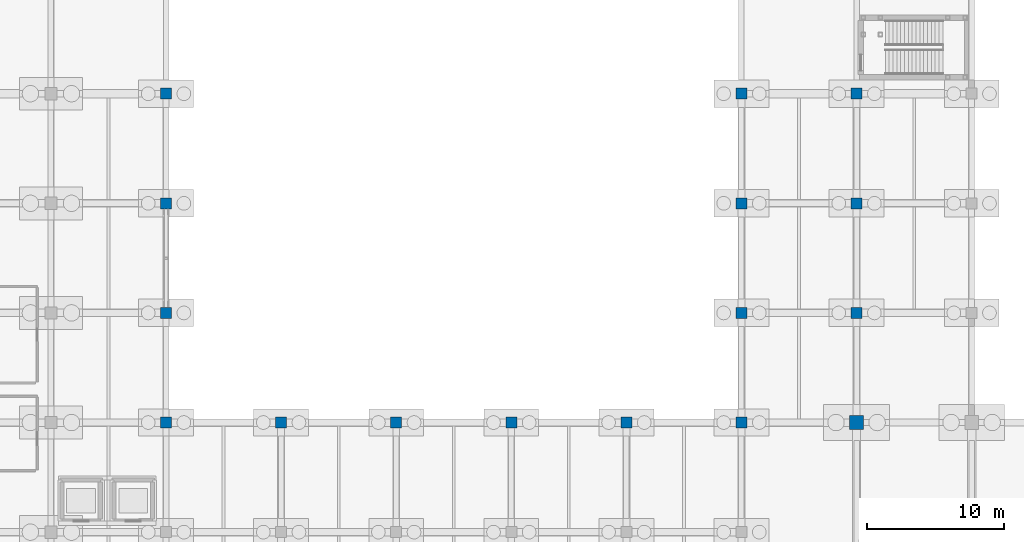
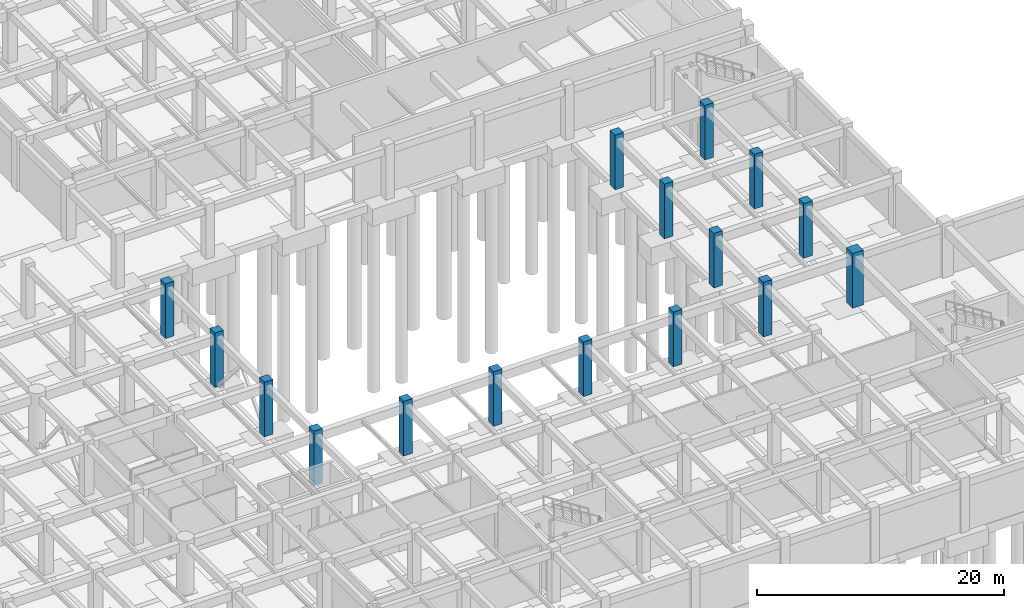
# One storey, part 17 of 56: 16 columns.
"""IFC4 building model written with IfcOpenShell, lengths in metres."""

from ifc_helpers import new_model, si_unit, direction, frame, origin, origin_2d, place, context, subcontext, project, spatial, rectangle, extrude, material, material_profile, profile_set, type_object, element, save


model = new_model("IFC4")

# Units and contexts
model_context = context("Model", 3, precision=1e-05, world=origin(), true_north=direction((0.0, 1.0)))
body_context = subcontext(model_context, "Body", "Model", "MODEL_VIEW")
ifc_project = project(units=[si_unit("LENGTHUNIT", "METRE"), si_unit("AREAUNIT", "SQUARE_METRE"), si_unit("VOLUMEUNIT", "CUBIC_METRE"), si_unit("PLANEANGLEUNIT", "RADIAN"), si_unit("MASSUNIT", "GRAM", prefix="KILO")], contexts=[model_context])

# Site, building, storey
site_placement = place(None, origin())
site = spatial("IfcSite", under=ifc_project, at=site_placement, CompositionType="ELEMENT")
building_placement = place(site_placement, origin())
building = spatial("IfcBuilding", under=site, at=building_placement, Name="Naruveol Harbour Congress Hotel", CompositionType="ELEMENT")
storey_placement = place(building_placement, frame((0.0, 0.0, -5.39990234375)))
storey = spatial("IfcBuildingStorey", under=building, at=storey_placement, Name="B01", CompositionType="ELEMENT", Elevation=-5.39990234375)

# Columns
ifc_material_1 = material(Name="Concrete C50/60", Category="concrete")
ifc_material_profile_1 = material_profile(ifc_material_1, rectangle(XDim=0.800048828125, YDim=0.800048828125, at=origin_2d()), Name="RC-800x800")
ifc_profile_set_1 = profile_set([ifc_material_profile_1], Name="Concrete C50/60")
column_type_1 = type_object("IfcColumnType", Name="RC PODIUM COLUMN 800X800", PredefinedType="COLUMN", material=ifc_profile_set_1)
for number, where, z_axis, x_axis, name in (
    (1, (67.199951171875, 32.0, 0.0), (0.0, 0.0, 1.0), (1.0, 0.0, 0.0), "Column C-800 B01 (67.2,32.0)"),
    (2, (67.199951171875, 40.0, 0.0), (0.0, 0.0, 1.0), (1.0, 0.0, 0.0), "Column C-800 B01 (67.2,40.0)"),
    (3, (67.199951171875, 48.0, 0.0), (0.0, 0.0, 1.0), (1.0, 0.0, 0.0), "Column C-800 B01 (67.2,48.0)"),
    (4, (67.199951171875, 56.0, 0.0), (0.0, 0.0, 1.0), (1.0, 0.0, 0.0), "Column C-800 B01 (67.2,56.0)"),
    (5, (75.60009765625, 32.0, 0.0), (0.0, 0.0, 1.0), (1.0, 0.0, 0.0), "Column C-800 B01 (75.6,32.0)"),
    (6, (84.0, 32.0, 0.0), (0.0, 0.0, 1.0), (1.0, 0.0, 0.0), "Column C-800 B01 (84.0,32.0)"),
    (7, (92.39990234375, 32.0, 0.0), (0.0, 0.0, 1.0), (1.0, 0.0, 0.0), "Column C-800 B01 (92.4,32.0)"),
    (8, (100.800048828125, 32.0, 0.0), (0.0, 0.0, 1.0), (1.0, 0.0, 0.0), "Column C-800 B01 (100.8,32.0)"),
    (9, (109.199951171875, 32.0, 0.0), (0.0, 0.0, 1.0), (1.0, 0.0, 0.0), "Column C-800 B01 (109.2,32.0)"),
    (10, (109.199951171875, 40.0, 0.0), (0.0, 0.0, 1.0), (1.0, 0.0, 0.0), "Column C-800 B01 (109.2,40.0)"),
    (11, (109.199951171875, 48.0, 0.0), (0.0, 0.0, 1.0), (1.0, 0.0, 0.0), "Column C-800 B01 (109.2,48.0)"),
    (12, (109.199951171875, 56.0, 0.0), (0.0, 0.0, 1.0), (1.0, 0.0, 0.0), "Column C-800 B01 (109.2,56.0)"),
    (13, (117.60009765625, 40.0, 0.0), (0.0, 0.0, 1.0), (1.0, 0.0, 0.0), "Column C-800 B01 (117.6,40.0)"),
    (14, (117.60009765625, 48.0, 0.0), (0.0, 0.0, 1.0), (1.0, 0.0, 0.0), "Column C-800 B01 (117.6,48.0)"),
    (15, (117.60009765625, 56.0, 0.0), (0.0, 0.0, 1.0), (1.0, 0.0, 0.0), "Column C-800 B01 (117.6,56.0)"),
):
    element("IfcColumn", number, at=place(storey_placement, frame(where, z_axis=z_axis, x_axis=x_axis)), inside=storey, type_object=column_type_1, Name=name, PredefinedType="COLUMN", context=body_context, shape_type="SweptSolid", body=[
        extrude(rectangle(XDim=0.800048828125, YDim=0.800048828125, at=origin_2d()), origin(), (0.0, 0.0, 1.0), 5.39990234375),
    ])
ifc_material_2 = material(Name="Concrete C50/60", Category="concrete")
ifc_material_profile_2 = material_profile(ifc_material_2, rectangle(XDim=1.0, YDim=1.0, at=origin_2d()), Name="RC-1000x1000")
ifc_profile_set_2 = profile_set([ifc_material_profile_2], Name="Concrete C50/60")
column_type_2 = type_object("IfcColumnType", Name="RC PRIMARY COLUMN 1000X1000", PredefinedType="COLUMN", material=ifc_profile_set_2)
column_placement = place(storey_placement, frame((117.60009765625, 32.0, 0.0), z_axis=(0.0, 0.0, 1.0), x_axis=(1.0, 0.0, 0.0)))
element("IfcColumn", 16, at=column_placement, inside=storey, type_object=column_type_2, Name="Column C-1000 B01 (117.6,32.0)", PredefinedType="COLUMN", context=body_context, shape_type="SweptSolid", body=[
    extrude(rectangle(XDim=1.0, YDim=1.0, at=origin_2d()), origin(), (0.0, 0.0, 1.0), 5.39990234375),
])

save(model, "model.ifc")
